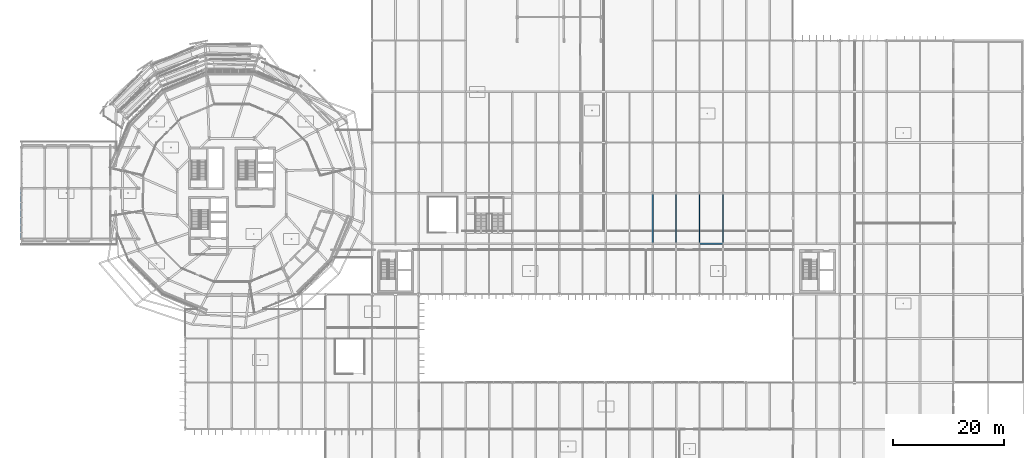
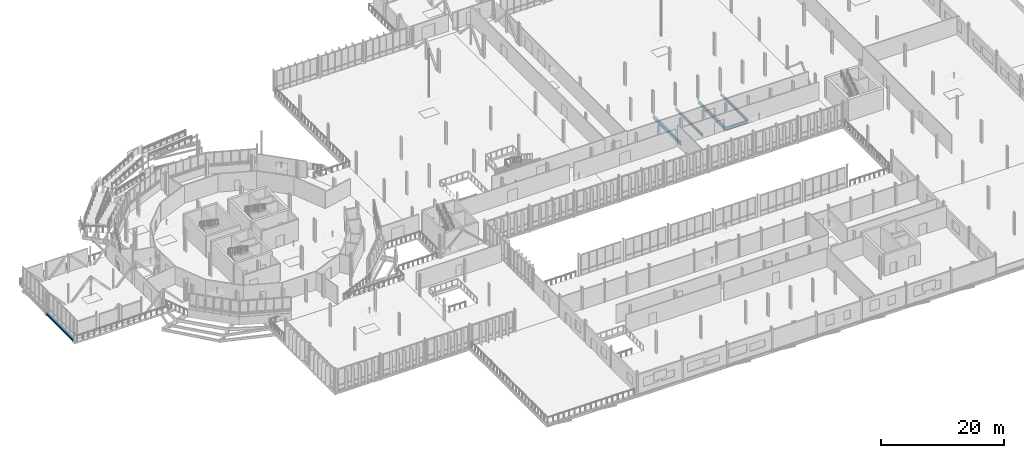
# One storey, part 47 of 139: 6 beams.
"""IFC4 building model written with IfcOpenShell, lengths in metres."""

from ifc_helpers import new_model, si_unit, derived_unit, direction, frame, origin, origin_2d, place, context, subcontext, project, spatial, i_section, extrude, material, material_profile, profile_set, type_object, element, save


model = new_model("IFC4")

# Units and contexts
model_context = context("Model", 3, precision=1e-05, world=origin(), true_north=direction((0.0, 1.0)))
body_context = subcontext(model_context, "Body", "Model", "MODEL_VIEW")
ifc_project = project(units=[si_unit("LENGTHUNIT", "METRE"), si_unit("AREAUNIT", "SQUARE_METRE"), si_unit("VOLUMEUNIT", "CUBIC_METRE"), si_unit("PLANEANGLEUNIT", "RADIAN"), si_unit("MASSUNIT", "GRAM", prefix="KILO"), derived_unit("THERMALTRANSMITTANCEUNIT", [(si_unit("MASSUNIT", "GRAM", prefix="KILO"), 1), (si_unit("TIMEUNIT", "SECOND"), -3), (si_unit("THERMODYNAMICTEMPERATUREUNIT", "KELVIN"), -1)])], contexts=[model_context])

# Site, building, storey
site_placement = place(None, origin())
site = spatial("IfcSite", under=ifc_project, at=site_placement, CompositionType="ELEMENT")
building_placement = place(site_placement, origin())
building = spatial("IfcBuilding", under=site, at=building_placement, Name="Makaiwela Harbour Ferry Terminal", CompositionType="ELEMENT")
storey_placement = place(building_placement, frame((0.0, 0.0, 5.10009765625)))
storey = spatial("IfcBuildingStorey", under=building, at=storey_placement, Name="L01", CompositionType="ELEMENT", Elevation=5.10009765625)

# Beams
ifc_material = material(Name="Steel ASTM A992 Grade 50", Category="steel")
ifc_material_profile_1 = material_profile(ifc_material, i_section(OverallWidth=0.2099609375, OverallDepth=0.537109375, WebThickness=0.010986328125, FlangeThickness=0.017333984375, at=origin_2d()), Name="W21X68")
ifc_profile_set_1 = profile_set([ifc_material_profile_1], Name="Steel ASTM A992 Grade 50")
beam_type_1 = type_object("IfcBeamType", Name="STR-BM-W21X68", PredefinedType="BEAM", material=ifc_profile_set_1)
for number, where, z_axis, x_axis, name in (
    (1, (117.60009765625, 58.596435546875, -0.548583984375), (0.0, 1.0, 0.0), (-1.0, 0.0, 0.0), "Secondary floor beam 1131"),
    (2, (126.0, 58.596435546875, -0.548583984375), (0.0, 1.0, 0.0), (-1.0, 0.0, 0.0), "Secondary floor beam 1138"),
):
    element("IfcBeam", number, at=place(storey_placement, frame(where, z_axis=z_axis, x_axis=x_axis)), inside=storey, type_object=beam_type_1, Name=name, PredefinedType="BEAM", context=body_context, shape_type="SweptSolid", body=[
        extrude(i_section(OverallWidth=0.2099609375, OverallDepth=0.537109375, WebThickness=0.010986328125, FlangeThickness=0.017333984375, at=origin_2d()), origin(), (0.0, 0.0, 1.0), 8.906982421875),
    ])
ifc_material_profile_2 = material_profile(ifc_material, i_section(OverallWidth=0.22900390625, OverallDepth=0.612060546875, WebThickness=0.011962890625, FlangeThickness=0.01953125, at=origin_2d()), Name="W24X84")
ifc_profile_set_2 = profile_set([ifc_material_profile_2], Name="Steel ASTM A992 Grade 50")
beam_type_2 = type_object("IfcBeamType", Name="STR-GRD-W24X84", PredefinedType="USERDEFINED", material=ifc_profile_set_2)
beam_1_placement = place(storey_placement, frame((121.800048828125, 58.5, -0.586181640625), z_axis=(1.0, 0.0, 0.0), x_axis=(0.0, 1.0, 0.0)))
element("IfcBeam", 3, at=beam_1_placement, inside=storey, type_object=beam_type_2, Name="Primary X girder 840", ObjectType="GIRDER", PredefinedType="USERDEFINED", context=body_context, shape_type="SweptSolid", body=[
    extrude(i_section(OverallWidth=0.22900390625, OverallDepth=0.612060546875, WebThickness=0.011962890625, FlangeThickness=0.01953125, at=origin_2d()), origin(), (0.0, 0.0, 1.0), 4.199951171875),
])
ifc_material_profile_3 = material_profile(ifc_material, i_section(OverallWidth=0.256103515625, OverallDepth=0.693115234375, WebThickness=0.014404296875, FlangeThickness=0.023681640625, at=origin_2d()), Name="W27X114")
ifc_profile_set_3 = profile_set([ifc_material_profile_3], Name="Steel ASTM A992 Grade 50")
beam_type_3 = type_object("IfcBeamType", Name="STR-GRD-W27X114", PredefinedType="USERDEFINED", material=ifc_profile_set_3)
for number, where, z_axis, x_axis, name in (
    (4, (113.39990234375, 58.5, -0.626708984375), (0.0, 1.0, 0.0), (-1.0, 0.0, 0.0), "Primary Y girder 985"),
    (5, (121.800048828125, 58.5, -0.626708984375), (0.0, 1.0, 0.0), (-1.0, 0.0, 0.0), "Primary Y girder 995"),
):
    element("IfcBeam", number, at=place(storey_placement, frame(where, z_axis=z_axis, x_axis=x_axis)), inside=storey, type_object=beam_type_3, Name=name, ObjectType="GIRDER", PredefinedType="USERDEFINED", context=body_context, shape_type="SweptSolid", body=[
        extrude(i_section(OverallWidth=0.256103515625, OverallDepth=0.693115234375, WebThickness=0.014404296875, FlangeThickness=0.023681640625, at=origin_2d()), origin(), (0.0, 0.0, 1.0), 9.10009765625),
    ])
ifc_material_profile_4 = material_profile(ifc_material, i_section(OverallWidth=0.260986328125, OverallDepth=0.4189453125, WebThickness=0.01171875, FlangeThickness=0.019287109375, at=origin_2d()), Name="W16X77")
ifc_profile_set_4 = profile_set([ifc_material_profile_4], Name="Steel ASTM A992 Grade 50")
beam_type_4 = type_object("IfcBeamType", Name="STR-JST-W16X77", PredefinedType="JOIST", material=ifc_profile_set_4)
beam_2_placement = place(storey_placement, frame((0.0, 59.490966796875, -0.489501953125), z_axis=(0.0, 1.0, 0.0), x_axis=(-1.0, 0.0, 0.0)))
element("IfcBeam", 6, at=beam_2_placement, inside=storey, type_object=beam_type_4, Name="Structural Beam J-02", PredefinedType="JOIST", context=body_context, shape_type="SweptSolid", body=[
    extrude(i_section(OverallWidth=0.260986328125, OverallDepth=0.4189453125, WebThickness=0.01171875, FlangeThickness=0.019287109375, at=origin_2d()), origin(), (0.0, 0.0, 1.0), 8.818115234375),
])

save(model, "model.ifc")
